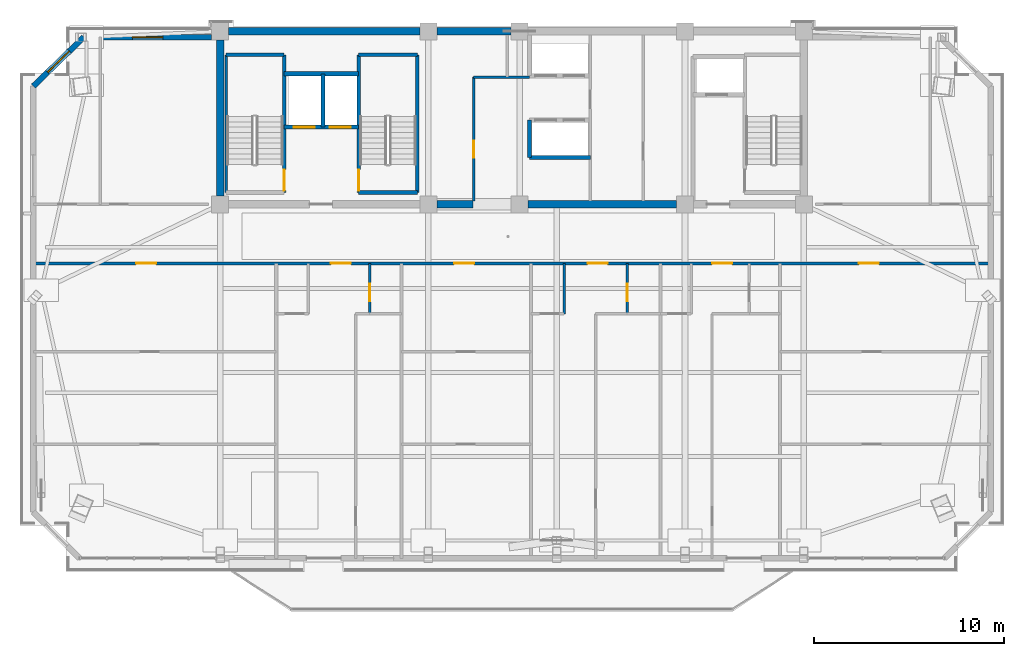
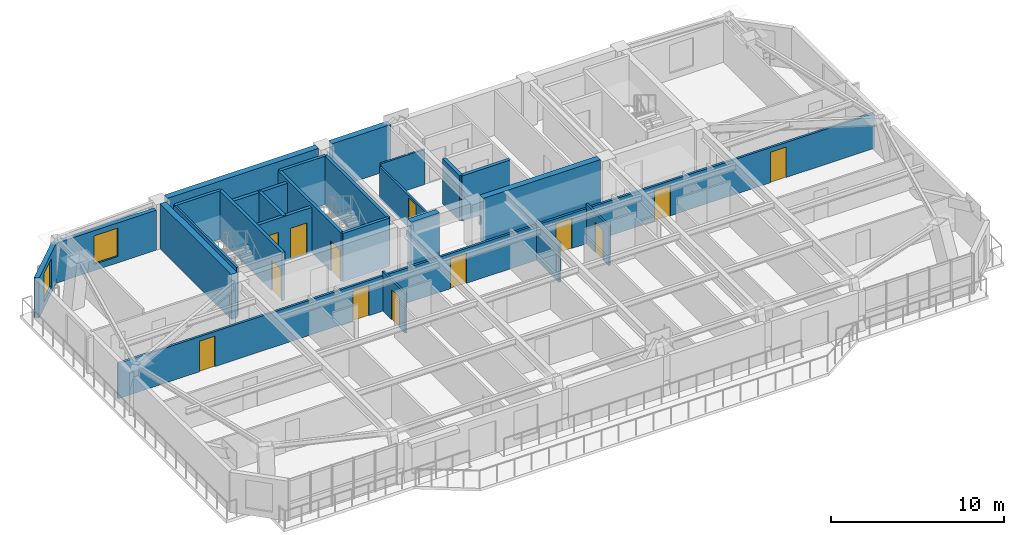
# One storey, part 8 of 15: 25 walls, 13 doors, 2 windows, 15 openings.
"""IFC4 building model written with IfcOpenShell, lengths in metres."""

from ifc_helpers import new_model, si_unit, direction, frame, frame_2d, origin, place, context, subcontext, project, spatial, rectangle, extrude, source, transform, mapped, material, layer, layer_set, type_object, element, fill, save


model = new_model("IFC4")

# Units and contexts
model_context = context("Model", 3, precision=1e-05, world=origin(), true_north=direction((0.0, 1.0)))
body_context = subcontext(model_context, "Body", "Model", "MODEL_VIEW")
ifc_project = project(units=[si_unit("LENGTHUNIT", "METRE"), si_unit("AREAUNIT", "SQUARE_METRE"), si_unit("VOLUMEUNIT", "CUBIC_METRE"), si_unit("PLANEANGLEUNIT", "RADIAN"), si_unit("MASSUNIT", "GRAM", prefix="KILO")], contexts=[model_context])

# Site, building, storey
site_placement = place(None, origin())
site = spatial("IfcSite", under=ifc_project, at=site_placement, CompositionType="ELEMENT")
building_placement = place(site_placement, origin())
building = spatial("IfcBuilding", under=site, at=building_placement, Name="Giltprow Tower", CompositionType="ELEMENT")
storey_placement = place(building_placement, frame((0.0, 0.0, 300.60009765625)))
storey = spatial("IfcBuildingStorey", under=building, at=storey_placement, Name="L77", CompositionType="ELEMENT", Elevation=300.60009765625)

# Wall, opening, window
ifc_material_1 = material(Name="Precast concrete C40", Category="concrete")
ifc_layer_1 = layer(ifc_material_1, 0.300048828125, Name="Precast concrete C40")
ifc_layer_set_1 = layer_set([ifc_layer_1], Name="Precast concrete C40")
wall_type_1 = type_object("IfcWallType", Name="EW-NOTCH-CHAMFER-300", PredefinedType="SOLIDWALL", material=ifc_layer_set_1)
wall_1_placement = place(storey_placement, frame((12.679931640625, 46.25, 0.0), z_axis=(0.0, 0.0, 1.0), x_axis=(-0.717153230711, -0.696915521194, 0.0)))
wall_1 = element("IfcWall", 1, at=wall_1_placement, inside=storey, type_object=wall_type_1, Name="L77 Corner Notch Wall NW", PredefinedType="SOLIDWALL", context=body_context, shape_type="SweptSolid", body=[
    extrude(rectangle(XDim=3.70361328125, YDim=0.300048828125, at=frame_2d((1.851806640625, 0.0))), origin(), (0.0, 0.0, 1.0), 2.81494140625),
])
opening_1_placement = place(wall_1_placement, frame((1.052001953125, 0.0, 0.449951171875)))
opening_1 = element("IfcOpeningElement", 2, at=opening_1_placement, cuts=wall_1, Name="Opening WN17", PredefinedType="OPENING", context=body_context, shape_type="SweptSolid", body=[
    extrude(rectangle(XDim=1.60009765625, YDim=2.0, at=frame_2d((0.800048828125, 1.0))), frame((0.0, 0.159912109375, 0.0), z_axis=(0.0, -1.0, 0.0), x_axis=(1.0, 0.0, 0.0)), (0.0, 0.0, 1.0), 0.320068359375),
])
ifc_material_2 = material(Name="Insulated glass", Category="glass")
window_type = type_object("IfcWindowType", Name="WN-COR-1600x2000", PartitioningType="SINGLE_PANEL", PredefinedType="WINDOW", material=ifc_material_2)
shared_shape_1 = source(origin(), body_context, "Body", "SweptSolid", [
    extrude(rectangle(XDim=1.60009765625, YDim=2.0, at=frame_2d((0.800048828125, 1.0))), frame((0.0, 0.030029296875, 0.0), z_axis=(0.0, -1.0, 0.0), x_axis=(1.0, 0.0, 0.0)), (0.0, 0.0, 1.0), 0.06005859375),
])
window_1_placement = place(opening_1_placement, origin())
window_1 = element("IfcWindow", 3, at=window_1_placement, inside=storey, type_object=window_type, Name="L77 Corner Notch Window NW", OverallHeight=2.0, OverallWidth=1.60009765625, PartitioningType="SINGLE_PANEL", PredefinedType="WINDOW", context=body_context, shape_type="MappedRepresentation", body=[
    mapped(shared_shape_1, transform((0.0, 0.0, 0.0), x_axis=(1.0, 0.0, 0.0), y_axis=(0.0, 1.0, 0.0), z_axis=(0.0, 0.0, 1.0), scale=1.0)),
])
fill(opening_1, window_1)

ifc_layer_2 = layer(ifc_material_1, 0.280029296875, Name="Precast concrete C40")
ifc_layer_set_2 = layer_set([ifc_layer_2], Name="Precast concrete C40")
wall_type_2 = type_object("IfcWallType", Name="EW-TOW-BRONZE-280", PredefinedType="SOLIDWALL", material=ifc_layer_set_2)
wall_2_placement = place(storey_placement, frame((12.679931640625, 46.25, 0.0), z_axis=(0.0, 0.0, 1.0), x_axis=(1.0, 0.0, 0.0)))
wall_2 = element("IfcWall", 4, at=wall_2_placement, inside=storey, type_object=wall_type_2, Name="L77 North-West Wing Wall", PredefinedType="SOLIDWALL", context=body_context, shape_type="SweptSolid", body=[
    extrude(rectangle(XDim=6.719970703125, YDim=0.280029296875, at=frame_2d((3.35986328125, 0.0))), origin(), (0.0, 0.0, 1.0), 2.81494140625),
])
opening_2_placement = place(wall_2_placement, frame((2.56005859375, 0.0, 0.449951171875)))
opening_2 = element("IfcOpeningElement", 5, at=opening_2_placement, cuts=wall_2, Name="Opening WN17", PredefinedType="OPENING", context=body_context, shape_type="SweptSolid", body=[
    extrude(rectangle(XDim=1.60009765625, YDim=2.0, at=frame_2d((0.800048828125, 1.0))), frame((0.0, 0.14990234375, 0.0), z_axis=(0.0, -1.0, 0.0), x_axis=(1.0, 0.0, 0.0)), (0.0, 0.0, 1.0), 0.300048828125),
])
window_2_placement = place(opening_2_placement, origin())
window_2 = element("IfcWindow", 6, at=window_2_placement, inside=storey, type_object=window_type, Name="L77 North-West Window", OverallHeight=2.0, OverallWidth=1.60009765625, PartitioningType="SINGLE_PANEL", PredefinedType="WINDOW", context=body_context, shape_type="MappedRepresentation", body=[
    mapped(shared_shape_1, transform((0.0, 0.0, 0.0), x_axis=(1.0, 0.0, 0.0), y_axis=(0.0, 1.0, 0.0), z_axis=(0.0, 0.0, 1.0), scale=1.0)),
])
fill(opening_2, window_2)

# Wall, openings, doors
ifc_material_3 = material(Name="Gypsum stud partition", Category="gypsum")
ifc_layer_3 = layer(ifc_material_3, 0.14990234375, Name="Gypsum stud partition")
ifc_layer_set_3 = layer_set([ifc_layer_3], Name="Gypsum stud partition")
wall_type_3 = type_object("IfcWallType", Name="IW-CORR-150", PredefinedType="PARTITIONING", material=ifc_layer_set_3)
wall_3_placement = place(storey_placement, frame((10.02392578125, 34.35009765625, 0.0), z_axis=(0.0, 0.0, 1.0), x_axis=(1.0, 0.0, 0.0)))
wall_3 = element("IfcWall", 7, at=wall_3_placement, inside=storey, type_object=wall_type_3, Name="L77 Residence Gallery Corridor Wall", PredefinedType="PARTITIONING", context=body_context, shape_type="SweptSolid", body=[
    extrude(rectangle(XDim=50.35205078125, YDim=0.14990234375, at=frame_2d((25.176025390625, 0.0))), origin(), (0.0, 0.0, 1.0), 2.469970703125),
])
opening_3_placement = place(wall_3_placement, frame((5.406005859375, 0.0, 0.0)))
opening_3 = element("IfcOpeningElement", 8, at=opening_3_placement, cuts=wall_3, Name="Opening ID31", PredefinedType="OPENING", context=body_context, shape_type="SweptSolid", body=[
    extrude(rectangle(XDim=1.050048828125, YDim=2.14990234375, at=frame_2d((0.52490234375, 1.074951171875))), frame((0.0, 0.0849609375, 0.0), z_axis=(0.0, -1.0, 0.0), x_axis=(1.0, 0.0, 0.0)), (0.0, 0.0, 1.0), 0.169921875),
])
opening_4_placement = place(wall_3_placement, frame((15.65087890625, 0.0, 0.0)))
opening_4 = element("IfcOpeningElement", 9, at=opening_4_placement, cuts=wall_3, Name="Opening ID31", PredefinedType="OPENING", context=body_context, shape_type="SweptSolid", body=[
    extrude(rectangle(XDim=1.050048828125, YDim=2.14990234375, at=frame_2d((0.52490234375, 1.074951171875))), frame((0.0, 0.0849609375, 0.0), z_axis=(0.0, -1.0, 0.0), x_axis=(1.0, 0.0, 0.0)), (0.0, 0.0, 1.0), 0.169921875),
])
opening_5_placement = place(wall_3_placement, frame((22.12890625, 0.0, 0.0)))
opening_5 = element("IfcOpeningElement", 10, at=opening_5_placement, cuts=wall_3, Name="Opening ID31", PredefinedType="OPENING", context=body_context, shape_type="SweptSolid", body=[
    extrude(rectangle(XDim=1.050048828125, YDim=2.14990234375, at=frame_2d((0.52490234375, 1.074951171875))), frame((0.0, 0.0849609375, 0.0), z_axis=(0.0, -1.0, 0.0), x_axis=(1.0, 0.0, 0.0)), (0.0, 0.0, 1.0), 0.169921875),
])
opening_6_placement = place(wall_3_placement, frame((29.15087890625, 0.0, 0.0)))
opening_6 = element("IfcOpeningElement", 11, at=opening_6_placement, cuts=wall_3, Name="Opening ID31", PredefinedType="OPENING", context=body_context, shape_type="SweptSolid", body=[
    extrude(rectangle(XDim=1.050048828125, YDim=2.14990234375, at=frame_2d((0.52490234375, 1.074951171875))), frame((0.0, 0.0849609375, 0.0), z_axis=(0.0, -1.0, 0.0), x_axis=(1.0, 0.0, 0.0)), (0.0, 0.0, 1.0), 0.169921875),
])
opening_7_placement = place(wall_3_placement, frame((35.700927734375, 0.0, 0.0)))
opening_7 = element("IfcOpeningElement", 12, at=opening_7_placement, cuts=wall_3, Name="Opening ID31", PredefinedType="OPENING", context=body_context, shape_type="SweptSolid", body=[
    extrude(rectangle(XDim=1.050048828125, YDim=2.14990234375, at=frame_2d((0.52490234375, 1.074951171875))), frame((0.0, 0.0849609375, 0.0), z_axis=(0.0, -1.0, 0.0), x_axis=(1.0, 0.0, 0.0)), (0.0, 0.0, 1.0), 0.169921875),
])
opening_8_placement = place(wall_3_placement, frame((43.419921875, 0.0, 0.0)))
opening_8 = element("IfcOpeningElement", 13, at=opening_8_placement, cuts=wall_3, Name="Opening ID31", PredefinedType="OPENING", context=body_context, shape_type="SweptSolid", body=[
    extrude(rectangle(XDim=1.050048828125, YDim=2.14990234375, at=frame_2d((0.52490234375, 1.074951171875))), frame((0.0, 0.0849609375, 0.0), z_axis=(0.0, -1.0, 0.0), x_axis=(1.0, 0.0, 0.0)), (0.0, 0.0, 1.0), 0.169921875),
])
ifc_material_4 = material(Name="Engineered timber", Category="wood")
door_type_1 = type_object("IfcDoorType", Name="DR-SUITE-1050", OperationType="SINGLE_SWING_LEFT", PredefinedType="DOOR", material=ifc_material_4)
shared_shape_2 = source(origin(), body_context, "Body", "SweptSolid", [
    extrude(rectangle(XDim=1.050048828125, YDim=2.14990234375, at=frame_2d((0.52490234375, 1.074951171875))), frame((0.0, 0.02490234375, 0.0), z_axis=(0.0, -1.0, 0.0), x_axis=(1.0, 0.0, 0.0)), (0.0, 0.0, 1.0), 0.050048828125),
])
door_1_placement = place(opening_3_placement, origin())
door_1 = element("IfcDoor", 14, at=door_1_placement, inside=storey, type_object=door_type_1, Name="L77 Altitude Pilates Gym 1 North Door", OperationType="SINGLE_SWING_LEFT", OverallHeight=2.14990234375, OverallWidth=1.050048828125, PredefinedType="DOOR", context=body_context, shape_type="MappedRepresentation", body=[
    mapped(shared_shape_2, transform((0.0, 0.0, 0.0), x_axis=(1.0, 0.0, 0.0), y_axis=(0.0, 1.0, 0.0), z_axis=(0.0, 0.0, 1.0), scale=1.0)),
])
fill(opening_3, door_1)
door_2_placement = place(opening_4_placement, origin())
door_2 = element("IfcDoor", 15, at=door_2_placement, inside=storey, type_object=door_type_1, Name="L77 Unit 1 Entrance Door", OperationType="SINGLE_SWING_RIGHT", OverallHeight=2.14990234375, OverallWidth=1.050048828125, PredefinedType="DOOR", context=body_context, shape_type="MappedRepresentation", body=[
    mapped(shared_shape_2, transform((0.0, 0.0, 0.0), x_axis=(1.0, 0.0, 0.0), y_axis=(0.0, 1.0, 0.0), z_axis=(0.0, 0.0, 1.0), scale=1.0)),
])
fill(opening_4, door_2)
door_3_placement = place(opening_5_placement, origin())
door_3 = element("IfcDoor", 16, at=door_3_placement, inside=storey, type_object=door_type_1, Name="L77 Meditation Gym 2 North Door", OperationType="SINGLE_SWING_RIGHT", OverallHeight=2.14990234375, OverallWidth=1.050048828125, PredefinedType="DOOR", context=body_context, shape_type="MappedRepresentation", body=[
    mapped(shared_shape_2, transform((0.0, 0.0, 0.0), x_axis=(1.0, 0.0, 0.0), y_axis=(0.0, 1.0, 0.0), z_axis=(0.0, 0.0, 1.0), scale=1.0)),
])
fill(opening_5, door_3)
door_4_placement = place(opening_6_placement, origin())
door_4 = element("IfcDoor", 17, at=door_4_placement, inside=storey, type_object=door_type_1, Name="L77 Unit 2 Entrance Door", OperationType="SINGLE_SWING_LEFT", OverallHeight=2.14990234375, OverallWidth=1.050048828125, PredefinedType="DOOR", context=body_context, shape_type="MappedRepresentation", body=[
    mapped(shared_shape_2, transform((0.0, 0.0, 0.0), x_axis=(1.0, 0.0, 0.0), y_axis=(0.0, 1.0, 0.0), z_axis=(0.0, 0.0, 1.0), scale=1.0)),
])
fill(opening_6, door_4)
door_5_placement = place(opening_7_placement, origin())
door_5 = element("IfcDoor", 18, at=door_5_placement, inside=storey, type_object=door_type_1, Name="L77 Unit 3 Entrance Door", OperationType="SINGLE_SWING_LEFT", OverallHeight=2.14990234375, OverallWidth=1.050048828125, PredefinedType="DOOR", context=body_context, shape_type="MappedRepresentation", body=[
    mapped(shared_shape_2, transform((0.0, 0.0, 0.0), x_axis=(1.0, 0.0, 0.0), y_axis=(0.0, 1.0, 0.0), z_axis=(0.0, 0.0, 1.0), scale=1.0)),
])
fill(opening_7, door_5)
door_6_placement = place(opening_8_placement, origin())
door_6 = element("IfcDoor", 19, at=door_6_placement, inside=storey, type_object=door_type_1, Name="L77 Sky Yoga Gym 3 North Door", OperationType="SINGLE_SWING_LEFT", OverallHeight=2.14990234375, OverallWidth=1.050048828125, PredefinedType="DOOR", context=body_context, shape_type="MappedRepresentation", body=[
    mapped(shared_shape_2, transform((0.0, 0.0, 0.0), x_axis=(1.0, 0.0, 0.0), y_axis=(0.0, 1.0, 0.0), z_axis=(0.0, 0.0, 1.0), scale=1.0)),
])
fill(opening_8, door_6)

ifc_material_5 = material(Name="Concrete C40", Category="concrete")
ifc_layer_4 = layer(ifc_material_5, 0.219970703125, Name="Concrete C40")
ifc_layer_set_4 = layer_set([ifc_layer_4], Name="Concrete C40")
wall_type_4 = type_object("IfcWallType", Name="IW-SHAFT-220", PredefinedType="SOLIDWALL", material=ifc_layer_set_4)
wall_4_placement = place(storey_placement, frame((23.219970703125, 41.52001953125, 0.0), z_axis=(0.0, 0.0, 1.0), x_axis=(1.0, 0.0, 0.0)))
wall_4 = element("IfcWall", 20, at=wall_4_placement, inside=storey, type_object=wall_type_4, Name="L77 FFL1 and Service Lift Front Wall", PredefinedType="SOLIDWALL", context=body_context, shape_type="SweptSolid", body=[
    extrude(rectangle(XDim=3.919921875, YDim=0.219970703125, at=frame_2d((1.9599609375, 0.0))), origin(), (0.0, 0.0, 1.0), 3.184814453125),
])
opening_9_placement = place(wall_4_placement, frame((0.5, 0.0, 0.0)))
opening_9 = element("IfcOpeningElement", 21, at=opening_9_placement, cuts=wall_4, Name="Opening LD-11", PredefinedType="OPENING", context=body_context, shape_type="SweptSolid", body=[
    extrude(rectangle(XDim=1.10009765625, YDim=2.199951171875, at=frame_2d((0.550048828125, 1.10009765625))), frame((0.0, 0.119873046875, 0.0), z_axis=(0.0, -1.0, 0.0), x_axis=(1.0, 0.0, 0.0)), (0.0, 0.0, 1.0), 0.239990234375),
])
opening_10_placement = place(wall_4_placement, frame((2.39990234375, 0.0, 0.0)))
opening_10 = element("IfcOpeningElement", 22, at=opening_10_placement, cuts=wall_4, Name="Opening LD-11", PredefinedType="OPENING", context=body_context, shape_type="SweptSolid", body=[
    extrude(rectangle(XDim=1.10009765625, YDim=2.199951171875, at=frame_2d((0.550048828125, 1.10009765625))), frame((0.0, 0.119873046875, 0.0), z_axis=(0.0, -1.0, 0.0), x_axis=(1.0, 0.0, 0.0)), (0.0, 0.0, 1.0), 0.239990234375),
])
ifc_material_6 = material(Name="Stainless steel", Category="steel")
door_type_2 = type_object("IfcDoorType", Name="DR-LIFT-LD1100", OperationType="SLIDING_TO_LEFT", PredefinedType="DOOR", material=ifc_material_6)
shared_shape_3 = source(origin(), body_context, "Body", "SweptSolid", [
    extrude(rectangle(XDim=1.10009765625, YDim=2.199951171875, at=frame_2d((0.550048828125, 1.10009765625))), frame((0.0, 0.02490234375, 0.0), z_axis=(0.0, -1.0, 0.0), x_axis=(1.0, 0.0, 0.0)), (0.0, 0.0, 1.0), 0.050048828125),
])
door_7_placement = place(opening_9_placement, origin())
door_7 = element("IfcDoor", 23, at=door_7_placement, inside=storey, type_object=door_type_2, Name="L77 FFL1 Landing Door", OperationType="SLIDING_TO_LEFT", OverallHeight=2.199951171875, OverallWidth=1.10009765625, PredefinedType="DOOR", context=body_context, shape_type="MappedRepresentation", body=[
    mapped(shared_shape_3, transform((0.0, 0.0, 0.0), x_axis=(1.0, 0.0, 0.0), y_axis=(0.0, 1.0, 0.0), z_axis=(0.0, 0.0, 1.0), scale=1.0)),
])
fill(opening_9, door_7)
door_8_placement = place(opening_10_placement, origin())
door_8 = element("IfcDoor", 24, at=door_8_placement, inside=storey, type_object=door_type_2, Name="L77 SVL1 Landing Door", OperationType="SLIDING_TO_LEFT", OverallHeight=2.199951171875, OverallWidth=1.10009765625, PredefinedType="DOOR", context=body_context, shape_type="MappedRepresentation", body=[
    mapped(shared_shape_3, transform((0.0, 0.0, 0.0), x_axis=(1.0, 0.0, 0.0), y_axis=(0.0, 1.0, 0.0), z_axis=(0.0, 0.0, 1.0), scale=1.0)),
])
fill(opening_10, door_8)

# Walls
wall_5_placement = place(storey_placement, frame((25.260009765625, 41.52001953125, 0.0), z_axis=(0.0, 0.0, 1.0), x_axis=(0.0, 1.0, 0.0)))
element("IfcWall", 25, at=wall_5_placement, inside=storey, type_object=wall_type_4, Name="L77 FFL1-SVL1 Shaft Divider", PredefinedType="SOLIDWALL", context=body_context, shape_type="SweptSolid", body=[
    extrude(rectangle(XDim=2.800048828125, YDim=0.219970703125, at=frame_2d((1.39990234375, 0.0))), origin(), (0.0, 0.0, 1.0), 3.184814453125),
])
wall_6_placement = place(storey_placement, frame((23.219970703125, 44.320068359375, 0.0), z_axis=(0.0, 0.0, 1.0), x_axis=(1.0, 0.0, 0.0)))
element("IfcWall", 26, at=wall_6_placement, inside=storey, type_object=wall_type_4, Name="L77 FFL1-SVL1 Back Shaft Wall", PredefinedType="SOLIDWALL", context=body_context, shape_type="SweptSolid", body=[
    extrude(rectangle(XDim=3.919921875, YDim=0.219970703125, at=frame_2d((1.9599609375, 0.0))), origin(), (0.0, 0.0, 1.0), 3.184814453125),
])
wall_7_placement = place(storey_placement, frame((36.1201171875, 39.919921875, 0.0), z_axis=(0.0, 0.0, 1.0), x_axis=(1.0, 0.0, 0.0)))
element("IfcWall", 27, at=wall_7_placement, inside=storey, type_object=wall_type_4, Name="L77 High-Rise South Lift Back Wall", PredefinedType="SOLIDWALL", context=body_context, shape_type="SweptSolid", body=[
    extrude(rectangle(XDim=3.199951171875, YDim=0.219970703125, at=frame_2d((1.60009765625, 0.0))), origin(), (0.0, 0.0, 1.0), 3.184814453125),
])
wall_8_placement = place(storey_placement, frame((36.1201171875, 39.919921875, 0.0), z_axis=(0.0, 0.0, 1.0), x_axis=(0.0, 1.0, 0.0)))
element("IfcWall", 28, at=wall_8_placement, inside=storey, type_object=wall_type_4, Name="L77 High-Rise South Lift West Closure", PredefinedType="SOLIDWALL", context=body_context, shape_type="SweptSolid", body=[
    extrude(rectangle(XDim=1.9599609375, YDim=0.219970703125, at=frame_2d((0.97998046875, 0.0))), origin(), (0.0, 0.0, 1.0), 3.184814453125),
])
ifc_material_7 = material(Name="Concrete C45", Category="concrete")
ifc_layer_5 = layer(ifc_material_7, 0.139892578125, Name="Concrete C45")
ifc_layer_set_5 = layer_set([ifc_layer_5], Name="Concrete C45")
wall_type_5 = type_object("IfcWallType", Name="IW-STAIR-140", PredefinedType="SOLIDWALL", material=ifc_layer_set_5)
wall_9_placement = place(storey_placement, frame((20.169921875, 38.070068359375, 0.0), z_axis=(0.0, 0.0, 1.0), x_axis=(0.0, 1.0, 0.0)))
element("IfcWall", 29, at=wall_9_placement, inside=storey, type_object=wall_type_5, Name="L77 Stair ST-1 West Bearing Wall", PredefinedType="SOLIDWALL", context=body_context, shape_type="SweptSolid", body=[
    extrude(rectangle(XDim=7.25, YDim=0.139892578125, at=frame_2d((3.625, 0.0))), origin(), (0.0, 0.0, 1.0), 3.39990234375),
])

# Wall, opening, door
ifc_layer_6 = layer(ifc_material_5, 0.199951171875, Name="Concrete C40")
ifc_layer_set_6 = layer_set([ifc_layer_6], Name="Concrete C40")
wall_type_6 = type_object("IfcWallType", Name="IW-STAIR-200", PredefinedType="SOLIDWALL", material=ifc_layer_set_6)
wall_10_placement = place(storey_placement, frame((23.219970703125, 38.070068359375, 0.0), z_axis=(0.0, 0.0, 1.0), x_axis=(0.0, 1.0, 0.0)))
wall_10 = element("IfcWall", 30, at=wall_10_placement, inside=storey, type_object=wall_type_6, Name="L77 Stair ST-1 East Bearing Wall", PredefinedType="SOLIDWALL", context=body_context, shape_type="SweptSolid", body=[
    extrude(rectangle(XDim=7.25, YDim=0.199951171875, at=frame_2d((3.625, 0.0))), origin(), (0.0, 0.0, 1.0), 3.39990234375),
])
opening_11_placement = place(wall_10_placement, frame((0.110107421875, 0.0, 0.0)))
opening_11 = element("IfcOpeningElement", 31, at=opening_11_placement, cuts=wall_10, Name="Opening ID33", PredefinedType="OPENING", context=body_context, shape_type="SweptSolid", body=[
    extrude(rectangle(XDim=1.10009765625, YDim=2.14990234375, at=frame_2d((0.550048828125, 1.074951171875))), frame((0.0, 0.10986328125, 0.0), z_axis=(0.0, -1.0, 0.0), x_axis=(1.0, 0.0, 0.0)), (0.0, 0.0, 1.0), 0.219970703125),
])
ifc_material_8 = material(Name="Steel fire leaf", Category="steel")
door_type_3 = type_object("IfcDoorType", Name="DR-STAIR-1100", OperationType="SINGLE_SWING_LEFT", PredefinedType="DOOR", material=ifc_material_8)
shared_shape_4 = source(origin(), body_context, "Body", "SweptSolid", [
    extrude(rectangle(XDim=1.10009765625, YDim=2.14990234375, at=frame_2d((0.550048828125, 1.074951171875))), frame((0.0, 0.02490234375, 0.0), z_axis=(0.0, -1.0, 0.0), x_axis=(1.0, 0.0, 0.0)), (0.0, 0.0, 1.0), 0.050048828125),
])
door_9_placement = place(opening_11_placement, origin())
door_9 = element("IfcDoor", 32, at=door_9_placement, inside=storey, type_object=door_type_3, Name="L77 Stair ST-1 Fire Door", OperationType="SINGLE_SWING_LEFT", OverallHeight=2.14990234375, OverallWidth=1.10009765625, PredefinedType="DOOR", context=body_context, shape_type="MappedRepresentation", body=[
    mapped(shared_shape_4, transform((0.0, 0.0, 0.0), x_axis=(1.0, 0.0, 0.0), y_axis=(0.0, 1.0, 0.0), z_axis=(0.0, 0.0, 1.0), scale=1.0)),
])
fill(opening_11, door_9)

# Wall
wall_11_placement = place(storey_placement, frame((20.169921875, 45.320068359375, 0.0), z_axis=(0.0, 0.0, 1.0), x_axis=(1.0, 0.0, 0.0)))
element("IfcWall", 33, at=wall_11_placement, inside=storey, type_object=wall_type_6, Name="L77 Stair ST-1 North Bearing Wall", PredefinedType="SOLIDWALL", context=body_context, shape_type="SweptSolid", body=[
    extrude(rectangle(XDim=3.050048828125, YDim=0.199951171875, at=frame_2d((1.52490234375, 0.0))), origin(), (0.0, 0.0, 1.0), 3.39990234375),
])

# Wall, opening, door
wall_12_placement = place(storey_placement, frame((27.139892578125, 38.070068359375, 0.0), z_axis=(0.0, 0.0, 1.0), x_axis=(0.0, 1.0, 0.0)))
wall_12 = element("IfcWall", 34, at=wall_12_placement, inside=storey, type_object=wall_type_6, Name="L77 Stair ST-2 West Bearing Wall", PredefinedType="SOLIDWALL", context=body_context, shape_type="SweptSolid", body=[
    extrude(rectangle(XDim=7.25, YDim=0.199951171875, at=frame_2d((3.625, 0.0))), origin(), (0.0, 0.0, 1.0), 3.39990234375),
])
opening_12_placement = place(wall_12_placement, frame((0.110107421875, 0.0, 0.0)))
opening_12 = element("IfcOpeningElement", 35, at=opening_12_placement, cuts=wall_12, Name="Opening ID33", PredefinedType="OPENING", context=body_context, shape_type="SweptSolid", body=[
    extrude(rectangle(XDim=1.10009765625, YDim=2.14990234375, at=frame_2d((0.550048828125, 1.074951171875))), frame((0.0, 0.10986328125, 0.0), z_axis=(0.0, -1.0, 0.0), x_axis=(1.0, 0.0, 0.0)), (0.0, 0.0, 1.0), 0.219970703125),
])
door_10_placement = place(opening_12_placement, origin())
door_10 = element("IfcDoor", 36, at=door_10_placement, inside=storey, type_object=door_type_3, Name="L77 Stair ST-2 Fire Door", OperationType="SINGLE_SWING_RIGHT", OverallHeight=2.14990234375, OverallWidth=1.10009765625, PredefinedType="DOOR", context=body_context, shape_type="MappedRepresentation", body=[
    mapped(shared_shape_4, transform((0.0, 0.0, 0.0), x_axis=(1.0, 0.0, 0.0), y_axis=(0.0, 1.0, 0.0), z_axis=(0.0, 0.0, 1.0), scale=1.0)),
])
fill(opening_12, door_10)

# Walls
wall_13_placement = place(storey_placement, frame((30.219970703125, 38.070068359375, 0.0), z_axis=(0.0, 0.0, 1.0), x_axis=(0.0, 1.0, 0.0)))
element("IfcWall", 37, at=wall_13_placement, inside=storey, type_object=wall_type_6, Name="L77 Stair ST-2 East Bearing Wall", PredefinedType="SOLIDWALL", context=body_context, shape_type="SweptSolid", body=[
    extrude(rectangle(XDim=7.25, YDim=0.199951171875, at=frame_2d((3.625, 0.0))), origin(), (0.0, 0.0, 1.0), 3.39990234375),
])
for number, where, z_axis, x_axis, name in (
    (38, (27.139892578125, 45.320068359375, 0.0), (0.0, 0.0, 1.0), (1.0, 0.0, 0.0), "L77 Stair ST-2 North Bearing Wall"),
    (39, (27.139892578125, 38.070068359375, 0.0), (0.0, 0.0, 1.0), (1.0, 0.0, 0.0), "L77 Stair ST-2 South Bearing Wall"),
):
    element("IfcWall", number, at=place(storey_placement, frame(where, z_axis=z_axis, x_axis=x_axis)), inside=storey, type_object=wall_type_6, Name=name, PredefinedType="SOLIDWALL", context=body_context, shape_type="SweptSolid", body=[
        extrude(rectangle(XDim=3.080078125, YDim=0.199951171875, at=frame_2d((1.5400390625, 0.0))), origin(), (0.0, 0.0, 1.0), 3.39990234375),
    ])

# Wall, opening, door
ifc_material_9 = material(Name="Concrete C30", Category="concrete")
ifc_layer_7 = layer(ifc_material_9, 0.1298828125, Name="Concrete C30")
ifc_layer_set_7 = layer_set([ifc_layer_7], Name="Concrete C30")
wall_type_7 = type_object("IfcWallType", Name="IW-WET-130", PredefinedType="PARTITIONING", material=ifc_layer_set_7)
wall_14_placement = place(storey_placement, frame((33.179931640625, 37.6298828125, 0.0), z_axis=(0.0, 0.0, 1.0), x_axis=(0.0, 1.0, 0.0)))
wall_14 = element("IfcWall", 40, at=wall_14_placement, inside=storey, type_object=wall_type_7, Name="L77 Reclaimed West Core Wall", PredefinedType="PARTITIONING", context=body_context, shape_type="SweptSolid", body=[
    extrude(rectangle(XDim=6.52001953125, YDim=0.1298828125, at=frame_2d((3.260009765625, 0.0))), origin(), (0.0, 0.0, 1.0), 2.27001953125),
])
opening_13_placement = place(wall_14_placement, frame((2.27001953125, 0.0, 0.0)))
opening_13 = element("IfcOpeningElement", 41, at=opening_13_placement, cuts=wall_14, Name="Opening ID35", PredefinedType="OPENING", context=body_context, shape_type="SweptSolid", body=[
    extrude(rectangle(XDim=0.89990234375, YDim=2.10009765625, at=frame_2d((0.449951171875, 1.050048828125))), frame((0.0, 0.074951171875, 0.0), z_axis=(0.0, -1.0, 0.0), x_axis=(1.0, 0.0, 0.0)), (0.0, 0.0, 1.0), 0.14990234375),
])
door_type_4 = type_object("IfcDoorType", Name="DR-SHAFT-900", OperationType="SINGLE_SWING_LEFT", PredefinedType="DOOR", material=ifc_material_8)
shared_shape_5 = source(origin(), body_context, "Body", "SweptSolid", [
    extrude(rectangle(XDim=0.89990234375, YDim=2.10009765625, at=frame_2d((0.449951171875, 1.050048828125))), frame((0.0, 0.02490234375, 0.0), z_axis=(0.0, -1.0, 0.0), x_axis=(1.0, 0.0, 0.0)), (0.0, 0.0, 1.0), 0.050048828125),
])
door_11_placement = place(opening_13_placement, origin())
door_11 = element("IfcDoor", 42, at=door_11_placement, inside=storey, type_object=door_type_4, Name="L77 Core Staff Washroom Door", OperationType="SINGLE_SWING_RIGHT", OverallHeight=2.10009765625, OverallWidth=0.89990234375, PredefinedType="DOOR", context=body_context, shape_type="MappedRepresentation", body=[
    mapped(shared_shape_5, transform((0.0, 0.0, 0.0), x_axis=(1.0, 0.0, 0.0), y_axis=(0.0, 1.0, 0.0), z_axis=(0.0, 0.0, 1.0), scale=1.0)),
])
fill(opening_13, door_11)

# Wall
wall_15_placement = place(storey_placement, frame((33.179931640625, 44.14990234375, 0.0), z_axis=(0.0, 0.0, 1.0), x_axis=(1.0, 0.0, 0.0)))
element("IfcWall", 43, at=wall_15_placement, inside=storey, type_object=wall_type_7, Name="L77 Reclaimed West Pocket Wall S", PredefinedType="PARTITIONING", context=body_context, shape_type="SweptSolid", body=[
    extrude(rectangle(XDim=2.940185546875, YDim=0.1298828125, at=frame_2d((1.47021484375, 0.0))), origin(), (0.0, 0.0, 1.0), 2.469970703125),
])

# Wall, opening, door
wall_16_placement = place(storey_placement, frame((27.7099609375, 31.699951171875, 0.0), z_axis=(0.0, 0.0, 1.0), x_axis=(0.0, 1.0, 0.0)))
wall_16 = element("IfcWall", 44, at=wall_16_placement, inside=storey, type_object=wall_type_7, Name="L77 Unit 1 Bathroom West Wall", PredefinedType="PARTITIONING", context=body_context, shape_type="SweptSolid", body=[
    extrude(rectangle(XDim=2.650146484375, YDim=0.1298828125, at=frame_2d((1.3251953125, 0.0))), origin(), (0.0, 0.0, 1.0), 2.77001953125),
])
opening_14_placement = place(wall_16_placement, frame((0.669921875, 0.0, 0.0)))
opening_14 = element("IfcOpeningElement", 45, at=opening_14_placement, cuts=wall_16, Name="Opening ID15", PredefinedType="OPENING", context=body_context, shape_type="SweptSolid", body=[
    extrude(rectangle(XDim=0.89990234375, YDim=2.10009765625, at=frame_2d((0.449951171875, 1.050048828125))), frame((0.0, 0.074951171875, 0.0), z_axis=(0.0, -1.0, 0.0), x_axis=(1.0, 0.0, 0.0)), (0.0, 0.0, 1.0), 0.14990234375),
])
door_type_5 = type_object("IfcDoorType", Name="DR-WC-900", OperationType="SINGLE_SWING_LEFT", PredefinedType="DOOR", material=ifc_material_4)
door_12_placement = place(opening_14_placement, origin())
door_12 = element("IfcDoor", 46, at=door_12_placement, inside=storey, type_object=door_type_5, Name="L77 Unit 1 Bathroom Door", OperationType="SINGLE_SWING_RIGHT", OverallHeight=2.10009765625, OverallWidth=0.89990234375, PredefinedType="DOOR", context=body_context, shape_type="MappedRepresentation", body=[
    mapped(shared_shape_5, transform((0.0, 0.0, 0.0), x_axis=(1.0, 0.0, 0.0), y_axis=(0.0, 1.0, 0.0), z_axis=(0.0, 0.0, 1.0), scale=1.0)),
])
fill(opening_14, door_12)

# Wall
wall_17_placement = place(storey_placement, frame((37.93994140625, 31.699951171875, 0.0), z_axis=(0.0, 0.0, 1.0), x_axis=(0.0, 1.0, 0.0)))
element("IfcWall", 47, at=wall_17_placement, inside=storey, type_object=wall_type_7, Name="L77 Unit 2 Kitchen East Wall", PredefinedType="PARTITIONING", context=body_context, shape_type="SweptSolid", body=[
    extrude(rectangle(XDim=2.650146484375, YDim=0.1298828125, at=frame_2d((1.3251953125, 0.0))), origin(), (0.0, 0.0, 1.0), 2.77001953125),
])

# Wall, opening, door
wall_18_placement = place(storey_placement, frame((41.260009765625, 31.699951171875, 0.0), z_axis=(0.0, 0.0, 1.0), x_axis=(0.0, 1.0, 0.0)))
wall_18 = element("IfcWall", 48, at=wall_18_placement, inside=storey, type_object=wall_type_7, Name="L77 Unit 2 Bathroom West Wall", PredefinedType="PARTITIONING", context=body_context, shape_type="SweptSolid", body=[
    extrude(rectangle(XDim=2.650146484375, YDim=0.1298828125, at=frame_2d((1.3251953125, 0.0))), origin(), (0.0, 0.0, 1.0), 2.77001953125),
])
opening_15_placement = place(wall_18_placement, frame((0.669921875, 0.0, 0.0)))
opening_15 = element("IfcOpeningElement", 49, at=opening_15_placement, cuts=wall_18, Name="Opening ID15", PredefinedType="OPENING", context=body_context, shape_type="SweptSolid", body=[
    extrude(rectangle(XDim=0.89990234375, YDim=2.10009765625, at=frame_2d((0.449951171875, 1.050048828125))), frame((0.0, 0.074951171875, 0.0), z_axis=(0.0, -1.0, 0.0), x_axis=(1.0, 0.0, 0.0)), (0.0, 0.0, 1.0), 0.14990234375),
])
door_13_placement = place(opening_15_placement, origin())
door_13 = element("IfcDoor", 50, at=door_13_placement, inside=storey, type_object=door_type_5, Name="L77 Unit 2 Bathroom Door", OperationType="SINGLE_SWING_LEFT", OverallHeight=2.10009765625, OverallWidth=0.89990234375, PredefinedType="DOOR", context=body_context, shape_type="MappedRepresentation", body=[
    mapped(shared_shape_5, transform((0.0, 0.0, 0.0), x_axis=(1.0, 0.0, 0.0), y_axis=(0.0, 1.0, 0.0), z_axis=(0.0, 0.0, 1.0), scale=1.0)),
])
fill(opening_15, door_13)

# Walls
ifc_layer_8 = layer(ifc_material_7, 0.39990234375, Name="Concrete C45")
ifc_layer_set_8 = layer_set([ifc_layer_8], Name="Concrete C45")
wall_type_8 = type_object("IfcWallType", Name="SW-EXT-400-C45", PredefinedType="SHEAR", material=ifc_layer_set_8)
wall_19_placement = place(storey_placement, frame((20.300048828125, 46.550048828125, 0.0), z_axis=(0.0, 0.0, 1.0), x_axis=(1.0, 0.0, 0.0)))
element("IfcWall", 51, at=wall_19_placement, inside=storey, type_object=wall_type_8, Name="L77 North Rear Core Shear Wall 1", PredefinedType="SHEAR", context=body_context, shape_type="SweptSolid", body=[
    extrude(rectangle(XDim=10.050048828125, YDim=0.39990234375, at=frame_2d((5.02490234375, 0.0))), origin(), (0.0, 0.0, 1.0), 3.184814453125),
])
wall_20_placement = place(storey_placement, frame((31.25, 46.550048828125, 0.0), z_axis=(0.0, 0.0, 1.0), x_axis=(1.0, 0.0, 0.0)))
element("IfcWall", 52, at=wall_20_placement, inside=storey, type_object=wall_type_8, Name="L77 North Rear Core Shear Wall 2", PredefinedType="SHEAR", context=body_context, shape_type="SweptSolid", body=[
    extrude(rectangle(XDim=3.89990234375, YDim=0.39990234375, at=frame_2d((1.949951171875, 0.0))), origin(), (0.0, 0.0, 1.0), 3.184814453125),
])
ifc_layer_9 = layer(ifc_material_7, 0.39990234375, Name="Concrete C45")
ifc_layer_set_9 = layer_set([ifc_layer_9], Name="Concrete C45")
wall_type_9 = type_object("IfcWallType", Name="SW-INT-400-C45", PredefinedType="SHEAR", material=ifc_layer_set_9)
wall_21_placement = place(storey_placement, frame((31.25, 37.449951171875, 0.0), z_axis=(0.0, 0.0, 1.0), x_axis=(1.0, 0.0, 0.0)))
element("IfcWall", 53, at=wall_21_placement, inside=storey, type_object=wall_type_9, Name="L77 South Rear Core Shear Wall Mid-West", PredefinedType="SHEAR", context=body_context, shape_type="SweptSolid", body=[
    extrude(rectangle(XDim=1.89990234375, YDim=0.39990234375, at=frame_2d((0.949951171875, 0.0))), origin(), (0.0, 0.0, 1.0), 3.184814453125),
])
wall_22_placement = place(storey_placement, frame((36.050048828125, 37.449951171875, 0.0), z_axis=(0.0, 0.0, 1.0), x_axis=(1.0, 0.0, 0.0)))
element("IfcWall", 54, at=wall_22_placement, inside=storey, type_object=wall_type_9, Name="L77 South Rear Core Shear Wall Mid-East", PredefinedType="SHEAR", context=body_context, shape_type="SweptSolid", body=[
    extrude(rectangle(XDim=7.800048828125, YDim=0.39990234375, at=frame_2d((3.89990234375, 0.0))), origin(), (0.0, 0.0, 1.0), 3.184814453125),
])
wall_23_placement = place(storey_placement, frame((19.85009765625, 37.89990234375, 0.0), z_axis=(0.0, 0.0, 1.0), x_axis=(0.0, 1.0, 0.0)))
element("IfcWall", 55, at=wall_23_placement, inside=storey, type_object=wall_type_9, Name="L77 W Rear Core Shear Wall", PredefinedType="SHEAR", context=body_context, shape_type="SweptSolid", body=[
    extrude(rectangle(XDim=8.2001953125, YDim=0.39990234375, at=frame_2d((4.10009765625, 0.0))), origin(), (0.0, 0.0, 1.0), 3.184814453125),
])

save(model, "model.ifc")
